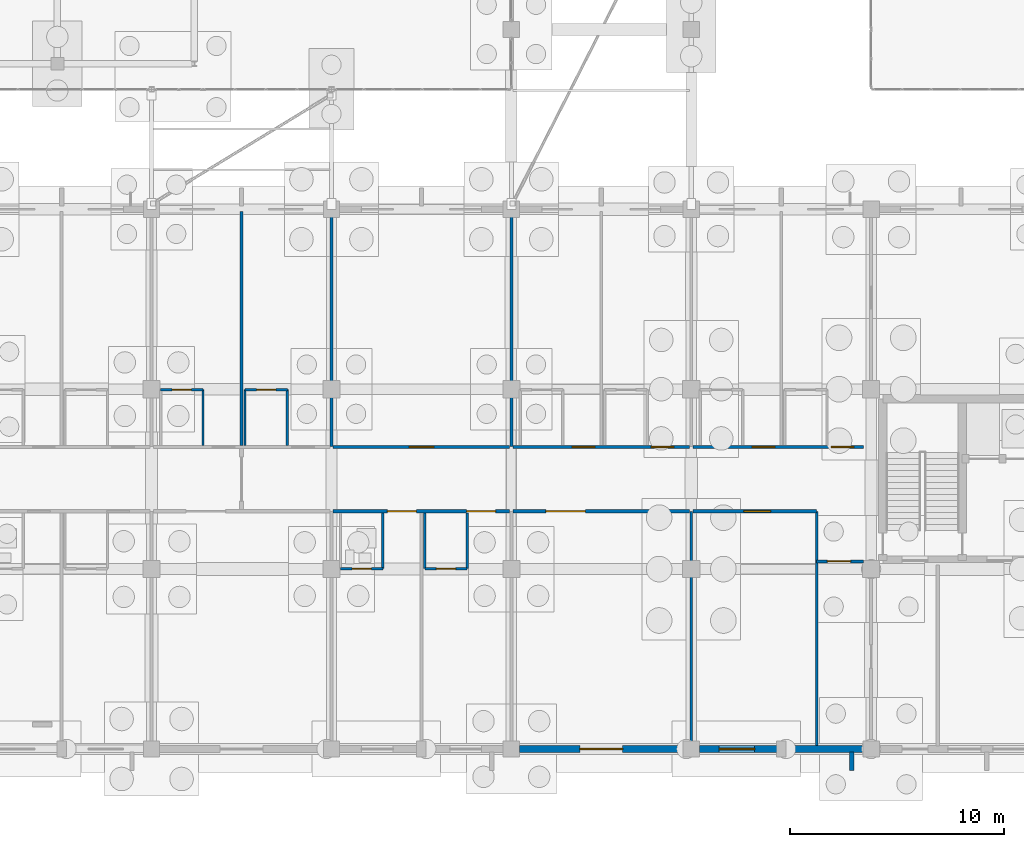
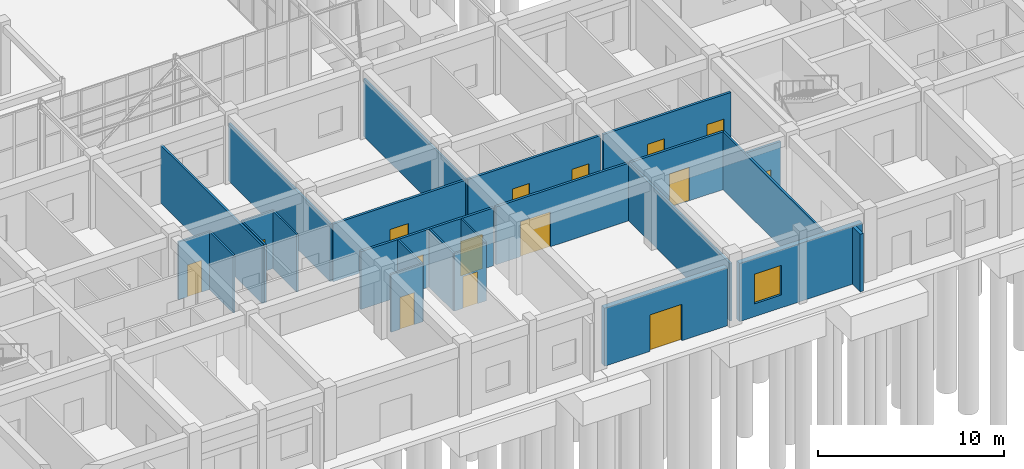
# One storey, part 154 of 192: 25 walls, 15 doors, 1 window, 16 openings.
"""IFC4 building model written with IfcOpenShell, lengths in metres."""

from ifc_helpers import new_model, si_unit, direction, frame, frame_2d, origin, place, context, subcontext, project, spatial, rectangle, extrude, material, layer, layer_set, type_object, element, fill, save


model = new_model("IFC4")

# Units and contexts
model_context = context("Model", 3, precision=1e-05, world=origin(), true_north=direction((0.0, 1.0)))
body_context = subcontext(model_context, "Body", "Model", "MODEL_VIEW")
ifc_project = project(units=[si_unit("LENGTHUNIT", "METRE"), si_unit("AREAUNIT", "SQUARE_METRE"), si_unit("VOLUMEUNIT", "CUBIC_METRE"), si_unit("PLANEANGLEUNIT", "RADIAN"), si_unit("MASSUNIT", "GRAM", prefix="KILO")], contexts=[model_context])

# Site, building, storey
site_placement = place(None, origin())
site = spatial("IfcSite", under=ifc_project, at=site_placement, CompositionType="ELEMENT")
building_placement = place(site_placement, origin())
building = spatial("IfcBuilding", under=site, at=building_placement, Name="Trelvath General Hospital", CompositionType="ELEMENT")
storey_placement = place(building_placement, origin())
storey = spatial("IfcBuildingStorey", under=building, at=storey_placement, Name="L00", CompositionType="ELEMENT", Elevation=0.0)

# Wall
ifc_material_1 = material(Name="Precast concrete C40/50", Category="concrete")
ifc_layer_1 = layer(ifc_material_1, 0.199951171875)
ifc_layer_set_1 = layer_set([ifc_layer_1], Name="Precast concrete C40/50")
wall_type_1 = type_object("IfcWallType", Name="BriseSoleilRib 200", PredefinedType="ELEMENTEDWALL", material=ifc_layer_set_1)
wall_1_placement = place(storey_placement, frame((91.489501953125, -0.14990234375, 0.0), z_axis=(0.0, 0.0, 1.0), x_axis=(0.0, -1.0, 0.0)))
element("IfcWall", 1, at=wall_1_placement, inside=storey, type_object=wall_type_1, Name="Precast Concrete Brise-Soleil Rib Fin L00-36", PredefinedType="ELEMENTEDWALL", context=body_context, shape_type="SweptSolid", body=[
    extrude(rectangle(XDim=0.85009765625, YDim=0.199951171875, at=frame_2d((0.425048828125, 0.0))), origin(), (0.0, 0.0, 1.0), 3.800048828125),
])

# Wall, openings, doors
ifc_material_2 = material(Name="Gypsum acoustic steel-stud partition", Category="steel")
ifc_layer_2 = layer(ifc_material_2, 0.14990234375)
ifc_layer_set_2 = layer_set([ifc_layer_2], Name="Gypsum acoustic steel-stud partition")
wall_type_2 = type_object("IfcWallType", Name="ClinicalPartition 150", PredefinedType="PARTITIONING", material=ifc_layer_set_2)
wall_2_placement = place(storey_placement, frame((67.280029296875, 11.10009765625, 0.0), z_axis=(0.0, 0.0, 1.0), x_axis=(1.0, 0.0, 0.0)))
wall_2 = element("IfcWall", 2, at=wall_2_placement, inside=storey, type_object=wall_type_2, Name="Corridor Partition L00-76", PredefinedType="PARTITIONING", context=body_context, shape_type="SweptSolid", body=[
    extrude(rectangle(XDim=8.239990234375, YDim=0.14990234375, at=frame_2d((4.1201171875, 0.0))), origin(), (0.0, 0.0, 1.0), 3.800048828125),
])
opening_1_placement = place(wall_2_placement, frame((2.530029296875, 0.0, 0.0)))
opening_1 = element("IfcOpeningElement", 3, at=opening_1_placement, cuts=wall_2, Name="Opening D-0-0319", PredefinedType="OPENING", context=body_context, shape_type="SweptSolid", body=[
    extrude(rectangle(XDim=1.35009765625, YDim=2.25, at=frame_2d((0.675048828125, 1.125))), frame((0.0, 0.0849609375, 0.0), z_axis=(0.0, -1.0, 0.0), x_axis=(1.0, 0.0, 0.0)), (0.0, 0.0, 1.0), 0.169921875),
])
opening_2_placement = place(wall_2_placement, frame((6.22998046875, 0.0, 0.0)))
opening_2 = element("IfcOpeningElement", 4, at=opening_2_placement, cuts=wall_2, Name="Opening D-0-0320", PredefinedType="OPENING", context=body_context, shape_type="SweptSolid", body=[
    extrude(rectangle(XDim=1.35009765625, YDim=2.25, at=frame_2d((0.675048828125, 1.125))), frame((0.0, 0.0849609375, 0.0), z_axis=(0.0, -1.0, 0.0), x_axis=(1.0, 0.0, 0.0)), (0.0, 0.0, 1.0), 0.169921875),
])
ifc_material_3 = material(Name="Airtight isolation bed door")
door_type_1 = type_object("IfcDoorType", Name="Door PatientIso 1350x2250", OperationType="NOTDEFINED", PredefinedType="DOOR", material=ifc_material_3)
door_1_placement = place(opening_1_placement, origin())
door_1 = element("IfcDoor", 5, at=door_1_placement, inside=storey, type_object=door_type_1, Name="Patient Room Door L00-319", OperationType="SINGLE_SWING_RIGHT", OverallHeight=2.25, OverallWidth=1.35009765625, PredefinedType="DOOR", context=body_context, shape_type="SweptSolid", body=[
    extrude(rectangle(XDim=1.35009765625, YDim=2.25, at=frame_2d((0.675048828125, 1.125))), frame((0.0, 0.02490234375, 0.0), z_axis=(0.0, -1.0, 0.0), x_axis=(1.0, 0.0, 0.0)), (0.0, 0.0, 1.0), 0.050048828125),
])
fill(opening_1, door_1)
door_2_placement = place(opening_2_placement, origin())
door_2 = element("IfcDoor", 6, at=door_2_placement, inside=storey, type_object=door_type_1, Name="Patient Room Door L00-320", OperationType="SINGLE_SWING_LEFT", OverallHeight=2.25, OverallWidth=1.35009765625, PredefinedType="DOOR", context=body_context, shape_type="SweptSolid", body=[
    extrude(rectangle(XDim=1.35009765625, YDim=2.25, at=frame_2d((0.675048828125, 1.125))), frame((0.0, 0.02490234375, 0.0), z_axis=(0.0, -1.0, 0.0), x_axis=(1.0, 0.0, 0.0)), (0.0, 0.0, 1.0), 0.050048828125),
])
fill(opening_2, door_2)

# Wall, opening, door
wall_3_placement = place(storey_placement, frame((75.52001953125, 14.10009765625, 0.0), z_axis=(0.0, 0.0, 1.0), x_axis=(-1.0, 0.0, 0.0)))
wall_3 = element("IfcWall", 7, at=wall_3_placement, inside=storey, type_object=wall_type_2, Name="Corridor Partition N L00-84", PredefinedType="PARTITIONING", context=body_context, shape_type="SweptSolid", body=[
    extrude(rectangle(XDim=8.239990234375, YDim=0.14990234375, at=frame_2d((4.1201171875, 0.0))), origin(), (0.0, 0.0, 1.0), 3.800048828125),
])
opening_3_placement = place(wall_3_placement, frame((3.544921875, 0.0, 0.0)))
opening_3 = element("IfcOpeningElement", 8, at=opening_3_placement, cuts=wall_3, Name="Opening D-0-0323", PredefinedType="OPENING", context=body_context, shape_type="SweptSolid", body=[
    extrude(rectangle(XDim=1.14990234375, YDim=2.199951171875, at=frame_2d((0.574951171875, 1.10009765625))), frame((0.0, 0.0849609375, 0.0), z_axis=(0.0, -1.0, 0.0), x_axis=(1.0, 0.0, 0.0)), (0.0, 0.0, 1.0), 0.169921875),
])
ifc_material_4 = material(Name="Phenolic cleanroom door")
door_type_2 = type_object("IfcDoorType", Name="Door Pharmacy 1150x2200", OperationType="NOTDEFINED", PredefinedType="DOOR", material=ifc_material_4)
door_3_placement = place(opening_3_placement, origin())
door_3 = element("IfcDoor", 9, at=door_3_placement, inside=storey, type_object=door_type_2, Name="Clinical Room Door L00-323", OperationType="SINGLE_SWING_RIGHT", OverallHeight=2.199951171875, OverallWidth=1.14990234375, PredefinedType="DOOR", context=body_context, shape_type="SweptSolid", body=[
    extrude(rectangle(XDim=1.14990234375, YDim=2.199951171875, at=frame_2d((0.574951171875, 1.10009765625))), frame((0.0, 0.02490234375, 0.0), z_axis=(0.0, -1.0, 0.0), x_axis=(1.0, 0.0, 0.0)), (0.0, 0.0, 1.0), 0.050048828125),
])
fill(opening_3, door_3)

wall_4_placement = place(storey_placement, frame((75.679931640625, 11.10009765625, 0.0), z_axis=(0.0, 0.0, 1.0), x_axis=(1.0, 0.0, 0.0)))
wall_4 = element("IfcWall", 10, at=wall_4_placement, inside=storey, type_object=wall_type_2, Name="Corridor Partition L00-87", PredefinedType="PARTITIONING", context=body_context, shape_type="SweptSolid", body=[
    extrude(rectangle(XDim=8.239990234375, YDim=0.14990234375, at=frame_2d((4.1201171875, 0.0))), origin(), (0.0, 0.0, 1.0), 3.800048828125),
])
opening_4_placement = place(wall_4_placement, frame((1.530029296875, 0.0, 0.0)))
opening_4 = element("IfcOpeningElement", 11, at=opening_4_placement, cuts=wall_4, Name="Opening D-0-0324", PredefinedType="OPENING", context=body_context, shape_type="SweptSolid", body=[
    extrude(rectangle(XDim=1.85009765625, YDim=2.300048828125, at=frame_2d((0.925048828125, 1.14990234375))), frame((0.0, 0.0849609375, 0.0), z_axis=(0.0, -1.0, 0.0), x_axis=(1.0, 0.0, 0.0)), (0.0, 0.0, 1.0), 0.169921875),
])
ifc_material_5 = material(Name="Fire-rated steel cross-corridor pair", Category="steel")
door_type_3 = type_object("IfcDoorType", Name="Door SmokeCross 1850x2300", OperationType="DOUBLE_SWING_LEFT", PredefinedType="DOOR", material=ifc_material_5)
door_4_placement = place(opening_4_placement, origin())
door_4 = element("IfcDoor", 12, at=door_4_placement, inside=storey, type_object=door_type_3, Name="Waiting Lounge Door L00-324", OperationType="DOUBLE_SWING_LEFT", OverallHeight=2.300048828125, OverallWidth=1.85009765625, PredefinedType="DOOR", context=body_context, shape_type="SweptSolid", body=[
    extrude(rectangle(XDim=1.85009765625, YDim=2.300048828125, at=frame_2d((0.925048828125, 1.14990234375))), frame((0.0, 0.02490234375, 0.0), z_axis=(0.0, -1.0, 0.0), x_axis=(1.0, 0.0, 0.0)), (0.0, 0.0, 1.0), 0.050048828125),
])
fill(opening_4, door_4)

# Wall, openings, doors
wall_5_placement = place(storey_placement, frame((83.919921875, 14.10009765625, 0.0), z_axis=(0.0, 0.0, 1.0), x_axis=(-1.0, 0.0, 0.0)))
wall_5 = element("IfcWall", 13, at=wall_5_placement, inside=storey, type_object=wall_type_2, Name="Corridor Partition N L00-88", PredefinedType="PARTITIONING", context=body_context, shape_type="SweptSolid", body=[
    extrude(rectangle(XDim=8.239990234375, YDim=0.14990234375, at=frame_2d((4.1201171875, 0.0))), origin(), (0.0, 0.0, 1.0), 3.800048828125),
])
opening_5_placement = place(wall_5_placement, frame((0.72998046875, 0.0, 0.0)))
opening_5 = element("IfcOpeningElement", 14, at=opening_5_placement, cuts=wall_5, Name="Opening D-0-0325", PredefinedType="OPENING", context=body_context, shape_type="SweptSolid", body=[
    extrude(rectangle(XDim=1.050048828125, YDim=2.199951171875, at=frame_2d((0.52490234375, 1.10009765625))), frame((0.0, 0.0849609375, 0.0), z_axis=(0.0, -1.0, 0.0), x_axis=(1.0, 0.0, 0.0)), (0.0, 0.0, 1.0), 0.169921875),
])
opening_6_placement = place(wall_5_placement, frame((4.429931640625, 0.0, 0.0)))
opening_6 = element("IfcOpeningElement", 15, at=opening_6_placement, cuts=wall_5, Name="Opening D-0-0326", PredefinedType="OPENING", context=body_context, shape_type="SweptSolid", body=[
    extrude(rectangle(XDim=1.050048828125, YDim=2.199951171875, at=frame_2d((0.52490234375, 1.10009765625))), frame((0.0, 0.0849609375, 0.0), z_axis=(0.0, -1.0, 0.0), x_axis=(1.0, 0.0, 0.0)), (0.0, 0.0, 1.0), 0.169921875),
])
ifc_material_6 = material(Name="Acoustic hospital timber leaf", Category="wood")
door_type_4 = type_object("IfcDoorType", Name="Door Consult 1050x2200", OperationType="NOTDEFINED", PredefinedType="DOOR", material=ifc_material_6)
door_5_placement = place(opening_5_placement, origin())
door_5 = element("IfcDoor", 16, at=door_5_placement, inside=storey, type_object=door_type_4, Name="Patient Room Door N L00-325", OperationType="SINGLE_SWING_LEFT", OverallHeight=2.199951171875, OverallWidth=1.050048828125, PredefinedType="DOOR", context=body_context, shape_type="SweptSolid", body=[
    extrude(rectangle(XDim=1.050048828125, YDim=2.199951171875, at=frame_2d((0.52490234375, 1.10009765625))), frame((0.0, 0.02490234375, 0.0), z_axis=(0.0, -1.0, 0.0), x_axis=(1.0, 0.0, 0.0)), (0.0, 0.0, 1.0), 0.050048828125),
])
fill(opening_5, door_5)
door_6_placement = place(opening_6_placement, origin())
door_6 = element("IfcDoor", 17, at=door_6_placement, inside=storey, type_object=door_type_4, Name="Patient Room Door N L00-326", OperationType="SINGLE_SWING_LEFT", OverallHeight=2.199951171875, OverallWidth=1.050048828125, PredefinedType="DOOR", context=body_context, shape_type="SweptSolid", body=[
    extrude(rectangle(XDim=1.050048828125, YDim=2.199951171875, at=frame_2d((0.52490234375, 1.10009765625))), frame((0.0, 0.02490234375, 0.0), z_axis=(0.0, -1.0, 0.0), x_axis=(1.0, 0.0, 0.0)), (0.0, 0.0, 1.0), 0.050048828125),
])
fill(opening_6, door_6)

# Wall, opening, door
wall_6_placement = place(storey_placement, frame((84.080078125, 11.10009765625, 0.0), z_axis=(0.0, 0.0, 1.0), x_axis=(1.0, 0.0, 0.0)))
wall_6 = element("IfcWall", 18, at=wall_6_placement, inside=storey, type_object=wall_type_2, Name="Nurse Station Partition L00-98", PredefinedType="PARTITIONING", context=body_context, shape_type="SweptSolid", body=[
    extrude(rectangle(XDim=5.780029296875, YDim=0.14990234375, at=frame_2d((2.89013671875, 0.0))), origin(), (0.0, 0.0, 1.0), 3.800048828125),
])
opening_7_placement = place(wall_6_placement, frame((2.3798828125, 0.0, 0.0)))
opening_7 = element("IfcOpeningElement", 19, at=opening_7_placement, cuts=wall_6, Name="Opening D-0-0329", PredefinedType="OPENING", context=body_context, shape_type="SweptSolid", body=[
    extrude(rectangle(XDim=1.25, YDim=2.199951171875, at=frame_2d((0.625, 1.10009765625))), frame((0.0, 0.0849609375, 0.0), z_axis=(0.0, -1.0, 0.0), x_axis=(1.0, 0.0, 0.0)), (0.0, 0.0, 1.0), 0.169921875),
])
ifc_material_7 = material(Name="Acoustic hospital timber leaf", Category="wood")
door_type_5 = type_object("IfcDoorType", Name="Door Treatment 1250x2200", OperationType="NOTDEFINED", PredefinedType="DOOR", material=ifc_material_7)
door_7_placement = place(opening_7_placement, origin())
door_7 = element("IfcDoor", 20, at=door_7_placement, inside=storey, type_object=door_type_5, Name="Nurse Station Door L00-329", OperationType="SINGLE_SWING_RIGHT", OverallHeight=2.199951171875, OverallWidth=1.25, PredefinedType="DOOR", context=body_context, shape_type="SweptSolid", body=[
    extrude(rectangle(XDim=1.25, YDim=2.199951171875, at=frame_2d((0.625, 1.10009765625))), frame((0.0, 0.02490234375, 0.0), z_axis=(0.0, -1.0, 0.0), x_axis=(1.0, 0.0, 0.0)), (0.0, 0.0, 1.0), 0.050048828125),
])
fill(opening_7, door_7)

wall_7_placement = place(storey_placement, frame((89.860107421875, 8.760009765625, 0.0), z_axis=(0.0, 0.0, 1.0), x_axis=(1.0, 0.0, 0.0)))
wall_7 = element("IfcWall", 21, at=wall_7_placement, inside=storey, type_object=wall_type_2, Name="Clean Utility Partition L00-100", PredefinedType="PARTITIONING", context=body_context, shape_type="SweptSolid", body=[
    extrude(rectangle(XDim=2.179931640625, YDim=0.14990234375, at=frame_2d((1.08984375, 0.0))), origin(), (0.0, 0.0, 1.0), 3.800048828125),
])
opening_8_placement = place(wall_7_placement, frame((0.5, 0.0, 0.0)))
opening_8 = element("IfcOpeningElement", 22, at=opening_8_placement, cuts=wall_7, Name="Opening D-0-0330", PredefinedType="OPENING", context=body_context, shape_type="SweptSolid", body=[
    extrude(rectangle(XDim=1.080078125, YDim=2.14990234375, at=frame_2d((0.5400390625, 1.074951171875))), frame((0.0, 0.0849609375, 0.0), z_axis=(0.0, -1.0, 0.0), x_axis=(1.0, 0.0, 0.0)), (0.0, 0.0, 1.0), 0.169921875),
])
ifc_material_8 = material(Name="Acoustic hospital timber leaf", Category="wood")
door_type_6 = type_object("IfcDoorType", Name="Door CleanSupply 1080x2150", OperationType="NOTDEFINED", PredefinedType="DOOR", material=ifc_material_8)
door_8_placement = place(opening_8_placement, origin())
door_8 = element("IfcDoor", 23, at=door_8_placement, inside=storey, type_object=door_type_6, Name="Clean Utility Door L00-330", OperationType="SINGLE_SWING_LEFT", OverallHeight=2.14990234375, OverallWidth=1.080078125, PredefinedType="DOOR", context=body_context, shape_type="SweptSolid", body=[
    extrude(rectangle(XDim=1.080078125, YDim=2.14990234375, at=frame_2d((0.5400390625, 1.074951171875))), frame((0.0, 0.02490234375, 0.0), z_axis=(0.0, -1.0, 0.0), x_axis=(1.0, 0.0, 0.0)), (0.0, 0.0, 1.0), 0.050048828125),
])
fill(opening_8, door_8)

# Wall, openings, doors
wall_8_placement = place(storey_placement, frame((92.0400390625, 14.10009765625, 0.0), z_axis=(0.0, 0.0, 1.0), x_axis=(-1.0, 0.0, 0.0)))
wall_8 = element("IfcWall", 24, at=wall_8_placement, inside=storey, type_object=wall_type_2, Name="Corridor Partition N L00-101", PredefinedType="PARTITIONING", context=body_context, shape_type="SweptSolid", body=[
    extrude(rectangle(XDim=7.9599609375, YDim=0.14990234375, at=frame_2d((3.97998046875, 0.0))), origin(), (0.0, 0.0, 1.0), 3.800048828125),
])
opening_9_placement = place(wall_8_placement, frame((0.449951171875, 0.0, 0.0)))
opening_9 = element("IfcOpeningElement", 25, at=opening_9_placement, cuts=wall_8, Name="Opening D-0-0331", PredefinedType="OPENING", context=body_context, shape_type="SweptSolid", body=[
    extrude(rectangle(XDim=1.050048828125, YDim=2.199951171875, at=frame_2d((0.52490234375, 1.10009765625))), frame((0.0, 0.0849609375, 0.0), z_axis=(0.0, -1.0, 0.0), x_axis=(1.0, 0.0, 0.0)), (0.0, 0.0, 1.0), 0.169921875),
])
opening_10_placement = place(wall_8_placement, frame((4.14990234375, 0.0, 0.0)))
opening_10 = element("IfcOpeningElement", 26, at=opening_10_placement, cuts=wall_8, Name="Opening D-0-0332", PredefinedType="OPENING", context=body_context, shape_type="SweptSolid", body=[
    extrude(rectangle(XDim=1.050048828125, YDim=2.199951171875, at=frame_2d((0.52490234375, 1.10009765625))), frame((0.0, 0.0849609375, 0.0), z_axis=(0.0, -1.0, 0.0), x_axis=(1.0, 0.0, 0.0)), (0.0, 0.0, 1.0), 0.169921875),
])
door_9_placement = place(opening_9_placement, origin())
door_9 = element("IfcDoor", 27, at=door_9_placement, inside=storey, type_object=door_type_4, Name="Patient Room Door N L00-331", OperationType="SINGLE_SWING_RIGHT", OverallHeight=2.199951171875, OverallWidth=1.050048828125, PredefinedType="DOOR", context=body_context, shape_type="SweptSolid", body=[
    extrude(rectangle(XDim=1.050048828125, YDim=2.199951171875, at=frame_2d((0.52490234375, 1.10009765625))), frame((0.0, 0.02490234375, 0.0), z_axis=(0.0, -1.0, 0.0), x_axis=(1.0, 0.0, 0.0)), (0.0, 0.0, 1.0), 0.050048828125),
])
fill(opening_9, door_9)
door_10_placement = place(opening_10_placement, origin())
door_10 = element("IfcDoor", 28, at=door_10_placement, inside=storey, type_object=door_type_4, Name="Patient Room Door N L00-332", OperationType="SINGLE_SWING_RIGHT", OverallHeight=2.199951171875, OverallWidth=1.050048828125, PredefinedType="DOOR", context=body_context, shape_type="SweptSolid", body=[
    extrude(rectangle(XDim=1.050048828125, YDim=2.199951171875, at=frame_2d((0.52490234375, 1.10009765625))), frame((0.0, 0.02490234375, 0.0), z_axis=(0.0, -1.0, 0.0), x_axis=(1.0, 0.0, 0.0)), (0.0, 0.0, 1.0), 0.050048828125),
])
fill(opening_10, door_10)

# Wall
ifc_material_9 = material(Name="Moisture-resistant tile partition")
ifc_layer_3 = layer(ifc_material_9, 0.110107421875)
ifc_layer_set_3 = layer_set([ifc_layer_3], Name="Moisture-resistant tile partition")
wall_type_3 = type_object("IfcWallType", Name="EnSuiteWetWall 110", PredefinedType="PARTITIONING", material=ifc_layer_set_3)
wall_9_placement = place(storey_placement, frame((61.199951171875, 14.169921875, 0.0), z_axis=(0.0, 0.0, 1.0), x_axis=(0.0, 1.0, 0.0)))
element("IfcWall", 29, at=wall_9_placement, inside=storey, type_object=wall_type_3, Name="En-Suite E Wall N L00-68", PredefinedType="PARTITIONING", context=body_context, shape_type="SweptSolid", body=[
    extrude(rectangle(XDim=2.610107421875, YDim=0.110107421875, at=frame_2d((1.30517578125, 0.0))), origin(), (0.0, 0.0, 1.0), 3.800048828125),
])

# Wall, opening, door
wall_10_placement = place(storey_placement, frame((59.219970703125, 16.780029296875, 0.0), z_axis=(0.0, 0.0, 1.0), x_axis=(1.0, 0.0, 0.0)))
wall_10 = element("IfcWall", 30, at=wall_10_placement, inside=storey, type_object=wall_type_3, Name="En-Suite Bathroom N Partition L00-69", PredefinedType="PARTITIONING", context=body_context, shape_type="SweptSolid", body=[
    extrude(rectangle(XDim=1.97998046875, YDim=0.110107421875, at=frame_2d((0.989990234375, 0.0))), origin(), (0.0, 0.0, 1.0), 3.800048828125),
])
opening_11_placement = place(wall_10_placement, frame((0.5400390625, 0.0, 0.0)))
opening_11 = element("IfcOpeningElement", 31, at=opening_11_placement, cuts=wall_10, Name="Opening D-0-0316", PredefinedType="OPENING", context=body_context, shape_type="SweptSolid", body=[
    extrude(rectangle(XDim=0.89990234375, YDim=2.10009765625, at=frame_2d((0.449951171875, 1.050048828125))), frame((0.0, 0.06494140625, 0.0), z_axis=(0.0, -1.0, 0.0), x_axis=(1.0, 0.0, 0.0)), (0.0, 0.0, 1.0), 0.130126953125),
])
ifc_material_10 = material(Name="Moisture-sealed timber leaf", Category="wood")
door_type_7 = type_object("IfcDoorType", Name="Door EnSuite 900x2100", OperationType="NOTDEFINED", PredefinedType="DOOR", material=ifc_material_10)
door_11_placement = place(opening_11_placement, origin())
door_11 = element("IfcDoor", 32, at=door_11_placement, inside=storey, type_object=door_type_7, Name="En-Suite Bathroom N Door L00-316", OperationType="SINGLE_SWING_RIGHT", OverallHeight=2.10009765625, OverallWidth=0.89990234375, PredefinedType="DOOR", context=body_context, shape_type="SweptSolid", body=[
    extrude(rectangle(XDim=0.89990234375, YDim=2.10009765625, at=frame_2d((0.449951171875, 1.050048828125))), frame((0.0, 0.02490234375, 0.0), z_axis=(0.0, -1.0, 0.0), x_axis=(1.0, 0.0, 0.0)), (0.0, 0.0, 1.0), 0.050048828125),
])
fill(opening_11, door_11)

# Walls
for number, where, z_axis, x_axis, name in (
    (33, (63.159912109375, 14.169921875, 0.0), (0.0, 0.0, 1.0), (0.0, 1.0, 0.0), "En-Suite W Wall N L00-70"),
    (34, (65.139892578125, 14.169921875, 0.0), (0.0, 0.0, 1.0), (0.0, 1.0, 0.0), "En-Suite E Wall N L00-71"),
):
    element("IfcWall", number, at=place(storey_placement, frame(where, z_axis=z_axis, x_axis=x_axis)), inside=storey, type_object=wall_type_3, Name=name, PredefinedType="PARTITIONING", context=body_context, shape_type="SweptSolid", body=[
        extrude(rectangle(XDim=2.610107421875, YDim=0.110107421875, at=frame_2d((1.30517578125, 0.0))), origin(), (0.0, 0.0, 1.0), 3.800048828125),
    ])

# Wall, opening, door
wall_11_placement = place(storey_placement, frame((63.159912109375, 16.780029296875, 0.0), z_axis=(0.0, 0.0, 1.0), x_axis=(1.0, 0.0, 0.0)))
wall_11 = element("IfcWall", 35, at=wall_11_placement, inside=storey, type_object=wall_type_3, Name="En-Suite Bathroom N Partition L00-72", PredefinedType="PARTITIONING", context=body_context, shape_type="SweptSolid", body=[
    extrude(rectangle(XDim=1.97998046875, YDim=0.110107421875, at=frame_2d((0.989990234375, 0.0))), origin(), (0.0, 0.0, 1.0), 3.800048828125),
])
opening_12_placement = place(wall_11_placement, frame((0.5400390625, 0.0, 0.0)))
opening_12 = element("IfcOpeningElement", 36, at=opening_12_placement, cuts=wall_11, Name="Opening D-0-0317", PredefinedType="OPENING", context=body_context, shape_type="SweptSolid", body=[
    extrude(rectangle(XDim=0.89990234375, YDim=2.10009765625, at=frame_2d((0.449951171875, 1.050048828125))), frame((0.0, 0.06494140625, 0.0), z_axis=(0.0, -1.0, 0.0), x_axis=(1.0, 0.0, 0.0)), (0.0, 0.0, 1.0), 0.130126953125),
])
door_12_placement = place(opening_12_placement, origin())
door_12 = element("IfcDoor", 37, at=door_12_placement, inside=storey, type_object=door_type_7, Name="En-Suite Bathroom N Door L00-317", OperationType="SINGLE_SWING_LEFT", OverallHeight=2.10009765625, OverallWidth=0.89990234375, PredefinedType="DOOR", context=body_context, shape_type="SweptSolid", body=[
    extrude(rectangle(XDim=0.89990234375, YDim=2.10009765625, at=frame_2d((0.449951171875, 1.050048828125))), frame((0.0, 0.02490234375, 0.0), z_axis=(0.0, -1.0, 0.0), x_axis=(1.0, 0.0, 0.0)), (0.0, 0.0, 1.0), 0.050048828125),
])
fill(opening_12, door_12)

# Wall
wall_12_placement = place(storey_placement, frame((69.60009765625, 8.419921875, 0.0), z_axis=(0.0, 0.0, 1.0), x_axis=(0.0, 1.0, 0.0)))
element("IfcWall", 38, at=wall_12_placement, inside=storey, type_object=wall_type_3, Name="En-Suite E Wall L00-79", PredefinedType="PARTITIONING", context=body_context, shape_type="SweptSolid", body=[
    extrude(rectangle(XDim=2.610107421875, YDim=0.110107421875, at=frame_2d((1.30517578125, 0.0))), origin(), (0.0, 0.0, 1.0), 3.800048828125),
])

# Wall, opening, door
wall_13_placement = place(storey_placement, frame((67.6201171875, 8.419921875, 0.0), z_axis=(0.0, 0.0, 1.0), x_axis=(1.0, 0.0, 0.0)))
wall_13 = element("IfcWall", 39, at=wall_13_placement, inside=storey, type_object=wall_type_3, Name="En-Suite Bathroom Partition L00-80", PredefinedType="PARTITIONING", context=body_context, shape_type="SweptSolid", body=[
    extrude(rectangle(XDim=1.97998046875, YDim=0.110107421875, at=frame_2d((0.989990234375, 0.0))), origin(), (0.0, 0.0, 1.0), 3.800048828125),
])
opening_13_placement = place(wall_13_placement, frame((0.5400390625, 0.0, 0.0)))
opening_13 = element("IfcOpeningElement", 40, at=opening_13_placement, cuts=wall_13, Name="Opening D-0-0321", PredefinedType="OPENING", context=body_context, shape_type="SweptSolid", body=[
    extrude(rectangle(XDim=0.89990234375, YDim=2.10009765625, at=frame_2d((0.449951171875, 1.050048828125))), frame((0.0, 0.06494140625, 0.0), z_axis=(0.0, -1.0, 0.0), x_axis=(1.0, 0.0, 0.0)), (0.0, 0.0, 1.0), 0.130126953125),
])
door_13_placement = place(opening_13_placement, origin())
door_13 = element("IfcDoor", 41, at=door_13_placement, inside=storey, type_object=door_type_7, Name="En-Suite Bathroom Door L00-321", OperationType="SINGLE_SWING_RIGHT", OverallHeight=2.10009765625, OverallWidth=0.89990234375, PredefinedType="DOOR", context=body_context, shape_type="SweptSolid", body=[
    extrude(rectangle(XDim=0.89990234375, YDim=2.10009765625, at=frame_2d((0.449951171875, 1.050048828125))), frame((0.0, 0.02490234375, 0.0), z_axis=(0.0, -1.0, 0.0), x_axis=(1.0, 0.0, 0.0)), (0.0, 0.0, 1.0), 0.050048828125),
])
fill(opening_13, door_13)

# Walls
for number, where, z_axis, x_axis, name in (
    (42, (71.56005859375, 8.419921875, 0.0), (0.0, 0.0, 1.0), (0.0, 1.0, 0.0), "En-Suite W Wall L00-81"),
    (43, (73.5400390625, 8.419921875, 0.0), (0.0, 0.0, 1.0), (0.0, 1.0, 0.0), "En-Suite E Wall L00-82"),
):
    element("IfcWall", number, at=place(storey_placement, frame(where, z_axis=z_axis, x_axis=x_axis)), inside=storey, type_object=wall_type_3, Name=name, PredefinedType="PARTITIONING", context=body_context, shape_type="SweptSolid", body=[
        extrude(rectangle(XDim=2.610107421875, YDim=0.110107421875, at=frame_2d((1.30517578125, 0.0))), origin(), (0.0, 0.0, 1.0), 3.800048828125),
    ])

# Wall, opening, door
wall_14_placement = place(storey_placement, frame((71.56005859375, 8.419921875, 0.0), z_axis=(0.0, 0.0, 1.0), x_axis=(1.0, 0.0, 0.0)))
wall_14 = element("IfcWall", 44, at=wall_14_placement, inside=storey, type_object=wall_type_3, Name="En-Suite Bathroom Partition L00-83", PredefinedType="PARTITIONING", context=body_context, shape_type="SweptSolid", body=[
    extrude(rectangle(XDim=1.97998046875, YDim=0.110107421875, at=frame_2d((0.989990234375, 0.0))), origin(), (0.0, 0.0, 1.0), 3.800048828125),
])
opening_14_placement = place(wall_14_placement, frame((0.5400390625, 0.0, 0.0)))
opening_14 = element("IfcOpeningElement", 45, at=opening_14_placement, cuts=wall_14, Name="Opening D-0-0322", PredefinedType="OPENING", context=body_context, shape_type="SweptSolid", body=[
    extrude(rectangle(XDim=0.89990234375, YDim=2.10009765625, at=frame_2d((0.449951171875, 1.050048828125))), frame((0.0, 0.06494140625, 0.0), z_axis=(0.0, -1.0, 0.0), x_axis=(1.0, 0.0, 0.0)), (0.0, 0.0, 1.0), 0.130126953125),
])
door_14_placement = place(opening_14_placement, origin())
door_14 = element("IfcDoor", 46, at=door_14_placement, inside=storey, type_object=door_type_7, Name="En-Suite Bathroom Door L00-322", OperationType="SINGLE_SWING_LEFT", OverallHeight=2.10009765625, OverallWidth=0.89990234375, PredefinedType="DOOR", context=body_context, shape_type="SweptSolid", body=[
    extrude(rectangle(XDim=0.89990234375, YDim=2.10009765625, at=frame_2d((0.449951171875, 1.050048828125))), frame((0.0, 0.02490234375, 0.0), z_axis=(0.0, -1.0, 0.0), x_axis=(1.0, 0.0, 0.0)), (0.0, 0.0, 1.0), 0.050048828125),
])
fill(opening_14, door_14)

ifc_material_11 = material(Name="Concrete C35/45", Category="concrete")
ifc_layer_4 = layer(ifc_material_11, 0.320068359375)
ifc_layer_set_4 = layer_set([ifc_layer_4], Name="Concrete C35/45")
wall_type_4 = type_object("IfcWallType", Name="ExtThermalWall 320", PredefinedType="SOLIDWALL", material=ifc_layer_set_4)
wall_15_placement = place(storey_placement, frame((83.625, 0.0, 0.0), z_axis=(0.0, 0.0, 1.0), x_axis=(-1.0, 0.0, 0.0)))
wall_15 = element("IfcWall", 47, at=wall_15_placement, inside=storey, type_object=wall_type_4, Name="Exterior Concrete Wall L00-49", PredefinedType="SOLIDWALL", context=body_context, shape_type="SweptSolid", body=[
    extrude(rectangle(XDim=7.64990234375, YDim=0.320068359375, at=frame_2d((3.824951171875, 0.0))), origin(), (0.0, 0.0, 1.0), 3.820068359375),
])
opening_15_placement = place(wall_15_placement, frame((2.824951171875, 0.0, 0.0)))
opening_15 = element("IfcOpeningElement", 48, at=opening_15_placement, cuts=wall_15, Name="Opening E05", PredefinedType="OPENING", context=body_context, shape_type="SweptSolid", body=[
    extrude(rectangle(XDim=2.0, YDim=2.39990234375, at=frame_2d((1.0, 1.199951171875))), frame((0.0, 0.169921875, 0.0), z_axis=(0.0, -1.0, 0.0), x_axis=(1.0, 0.0, 0.0)), (0.0, 0.0, 1.0), 0.340087890625),
])
ifc_material_12 = material(Name="Thermally broken glazed exit pair")
door_type_8 = type_object("IfcDoorType", Name="Door GradeExit 2000x2400", OperationType="DOUBLE_SWING_LEFT", PredefinedType="DOOR", material=ifc_material_12)
door_15_placement = place(opening_15_placement, origin())
door_15 = element("IfcDoor", 49, at=door_15_placement, inside=storey, type_object=door_type_8, Name="Pedestrian Final Exit Door E05", OperationType="DOUBLE_SWING_LEFT", OverallHeight=2.39990234375, OverallWidth=2.0, PredefinedType="DOOR", context=body_context, shape_type="SweptSolid", body=[
    extrude(rectangle(XDim=2.0, YDim=2.39990234375, at=frame_2d((1.0, 1.199951171875))), frame((0.0, 0.02490234375, 0.0), z_axis=(0.0, -1.0, 0.0), x_axis=(1.0, 0.0, 0.0)), (0.0, 0.0, 1.0), 0.050048828125),
])
fill(opening_15, door_15)

# Wall, opening, window
wall_16_placement = place(storey_placement, frame((92.02490234375, 0.0, 0.0), z_axis=(0.0, 0.0, 1.0), x_axis=(-1.0, 0.0, 0.0)))
wall_16 = element("IfcWall", 50, at=wall_16_placement, inside=storey, type_object=wall_type_4, Name="Exterior Concrete Wall L00-56", PredefinedType="SOLIDWALL", context=body_context, shape_type="SweptSolid", body=[
    extrude(rectangle(XDim=7.64990234375, YDim=0.320068359375, at=frame_2d((3.824951171875, 0.0))), origin(), (0.0, 0.0, 1.0), 3.820068359375),
])
opening_16_placement = place(wall_16_placement, frame((5.060546875, 0.0, 0.85009765625)))
opening_16 = element("IfcOpeningElement", 51, at=opening_16_placement, cuts=wall_16, Name="Opening WN-0-080", PredefinedType="OPENING", context=body_context, shape_type="SweptSolid", body=[
    extrude(rectangle(XDim=1.659912109375, YDim=1.949951171875, at=frame_2d((0.830078125, 0.97509765625))), frame((0.0, 0.169921875, 0.0), z_axis=(0.0, -1.0, 0.0), x_axis=(1.0, 0.0, 0.0)), (0.0, 0.0, 1.0), 0.340087890625),
])
ifc_material_13 = material(Name="Low-E laminated glass", Category="glass")
window_type = type_object("IfcWindowType", Name="Window Dayroom 1660x1950", PartitioningType="DOUBLE_PANEL_VERTICAL", PredefinedType="WINDOW", material=ifc_material_13)
window_placement = place(opening_16_placement, origin())
window = element("IfcWindow", 52, at=window_placement, inside=storey, type_object=window_type, Name="Solar Reveal Window L00-80", OverallHeight=1.949951171875, OverallWidth=1.659912109375, PartitioningType="SINGLE_PANEL", PredefinedType="WINDOW", context=body_context, shape_type="SweptSolid", body=[
    extrude(rectangle(XDim=1.659912109375, YDim=1.949951171875, at=frame_2d((0.830078125, 0.97509765625))), frame((0.0, 0.030029296875, 0.0), z_axis=(0.0, -1.0, 0.0), x_axis=(1.0, 0.0, 0.0)), (0.0, 0.0, 1.0), 0.06005859375),
])
fill(opening_16, window)

# Walls
ifc_material_14 = material(Name="Gypsum acoustic steel-stud partition", Category="steel")
ifc_layer_5 = layer(ifc_material_14, 0.1298828125)
ifc_layer_set_5 = layer_set([ifc_layer_5], Name="Gypsum acoustic steel-stud partition")
wall_type_5 = type_object("IfcWallType", Name="WardPartition 130", PredefinedType="PARTITIONING", material=ifc_layer_set_5)
wall_17_placement = place(storey_placement, frame((63.0, 14.169921875, 0.0), z_axis=(0.0, 0.0, 1.0), x_axis=(0.0, 1.0, 0.0)))
element("IfcWall", 53, at=wall_17_placement, inside=storey, type_object=wall_type_5, Name="Room Dividing Partition N L00-66", PredefinedType="PARTITIONING", context=body_context, shape_type="SweptSolid", body=[
    extrude(rectangle(XDim=10.93017578125, YDim=0.1298828125, at=frame_2d((5.465087890625, 0.0))), origin(), (0.0, 0.0, 1.0), 3.800048828125),
])
for number, where, z_axis, x_axis, name in (
    (54, (67.199951171875, 14.1201171875, 0.0), (0.0, 0.0, 1.0), (0.0, 1.0, 0.0), "Inter-Bay Ward Partition N L00-75"),
    (55, (75.60009765625, 14.1201171875, 0.0), (0.0, 0.0, 1.0), (0.0, 1.0, 0.0), "Inter-Bay Ward Partition N L00-86"),
):
    element("IfcWall", number, at=place(storey_placement, frame(where, z_axis=z_axis, x_axis=x_axis)), inside=storey, type_object=wall_type_5, Name=name, PredefinedType="PARTITIONING", context=body_context, shape_type="SweptSolid", body=[
        extrude(rectangle(XDim=10.93994140625, YDim=0.1298828125, at=frame_2d((5.469970703125, 0.0))), origin(), (0.0, 0.0, 1.0), 3.800048828125),
    ])
for number, where, z_axis, x_axis, name in (
    (56, (84.0, 0.139892578125, 0.0), (0.0, 0.0, 1.0), (0.0, 1.0, 0.0), "Inter-Bay Ward Partition S L00-96"),
    (57, (89.860107421875, 0.159912109375, 0.0), (0.0, 0.0, 1.0), (0.0, 1.0, 0.0), "Nurse Alcove Partition L00-99"),
):
    element("IfcWall", number, at=place(storey_placement, frame(where, z_axis=z_axis, x_axis=x_axis)), inside=storey, type_object=wall_type_5, Name=name, PredefinedType="PARTITIONING", context=body_context, shape_type="SweptSolid", body=[
        extrude(rectangle(XDim=10.940185546875, YDim=0.1298828125, at=frame_2d((5.47021484375, 0.0))), origin(), (0.0, 0.0, 1.0), 3.800048828125),
    ])

save(model, "model.ifc")
